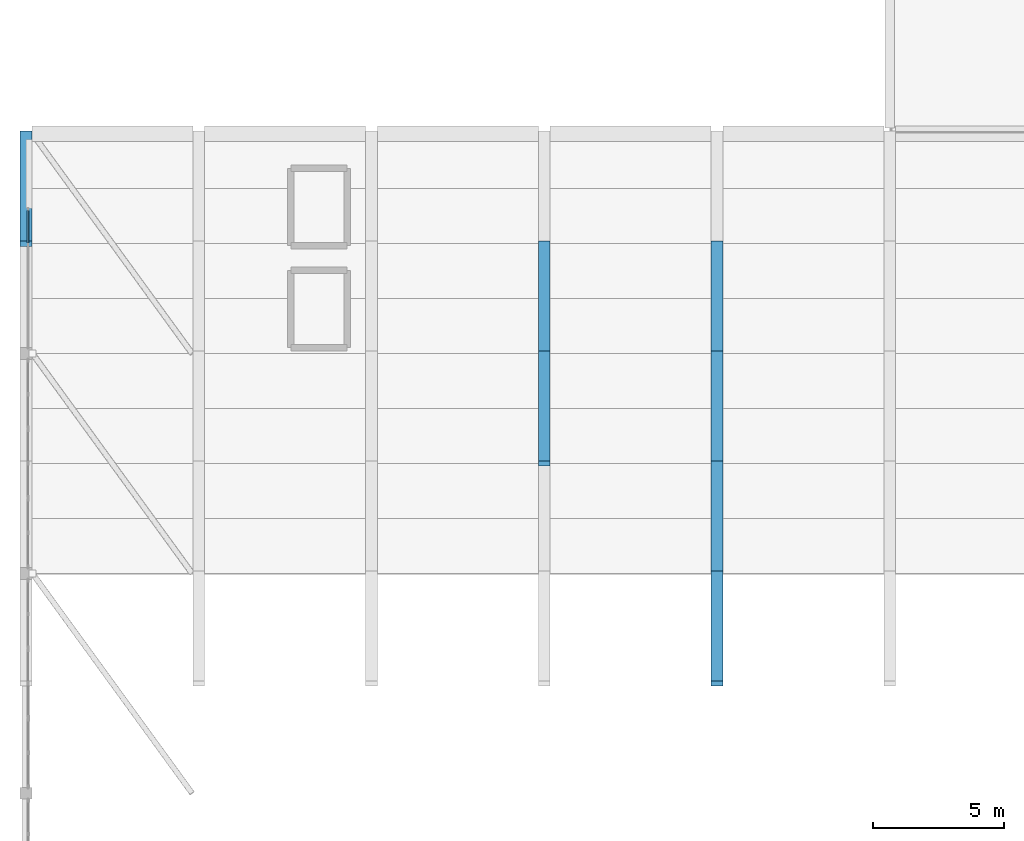
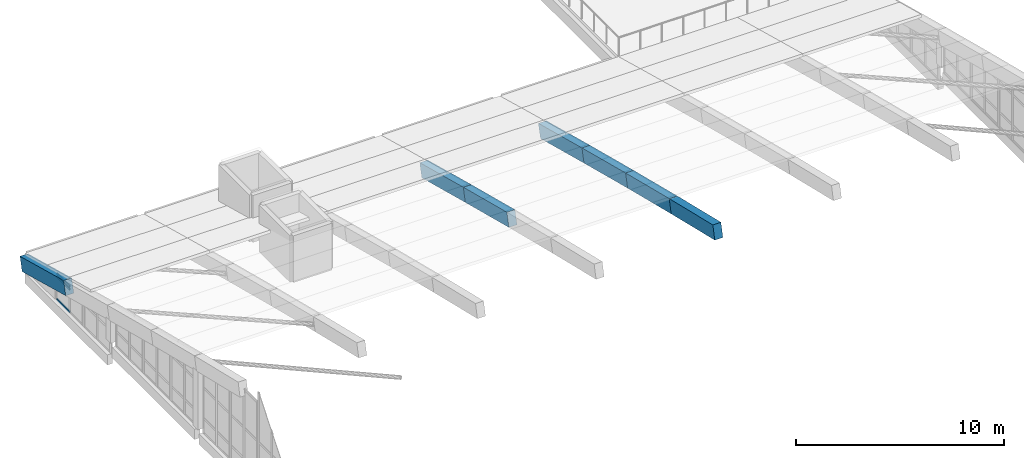
# One storey, part 14 of 78: 7 beams, 3 members, 1 element without a shape of its own.
"""IFC4 building model written with IfcOpenShell, lengths in metres."""

from ifc_helpers import new_model, si_unit, direction, frame, origin, origin_2d, place, context, subcontext, project, spatial, rectangle, extrude, material, material_profile, profile_set, type_object, element, aggregate, save


model = new_model("IFC4")

# Units and contexts
model_context = context("Model", 3, precision=1e-05, world=origin(), true_north=direction((0.0, 1.0)))
body_context = subcontext(model_context, "Body", "Model", "MODEL_VIEW")
ifc_project = project(units=[si_unit("LENGTHUNIT", "METRE"), si_unit("AREAUNIT", "SQUARE_METRE"), si_unit("VOLUMEUNIT", "CUBIC_METRE"), si_unit("PLANEANGLEUNIT", "RADIAN"), si_unit("MASSUNIT", "GRAM", prefix="KILO")], contexts=[model_context])

# Site, building, storey
site_placement = place(None, origin())
site = spatial("IfcSite", under=ifc_project, at=site_placement, CompositionType="ELEMENT")
building_placement = place(site_placement, origin())
building = spatial("IfcBuilding", under=site, at=building_placement, Name="Qaldarim Faculty of Natural and Applied Sciences", CompositionType="ELEMENT")
storey_placement = place(building_placement, frame((0.0, 0.0, 18.60009765625)))
storey = spatial("IfcBuildingStorey", under=building, at=storey_placement, Name="L04", CompositionType="ELEMENT", Elevation=18.60009765625)

# Beams
ifc_material_1 = material(Name="Concrete C50/60", Category="concrete")
ifc_material_profile_1 = material_profile(ifc_material_1, rectangle(XDim=0.449951171875, YDim=0.800048828125, at=origin_2d()), Name="RC-RIB450x800")
ifc_profile_set_1 = profile_set([ifc_material_profile_1], Name="Concrete C50/60")
beam_type = type_object("IfcBeamType", Name="ShellArchRib-RC450x800", PredefinedType="BEAM", material=ifc_profile_set_1)
beam_1_placement = place(storey_placement, frame((0.0, 84.0, -0.56005859375), z_axis=(0.0, -0.965947299715, 0.258738891884), x_axis=(1.0, 0.0, 0.0)))
element("IfcBeam", 1, at=beam_1_placement, inside=storey, type_object=beam_type, Name="Shell arch rib 1 N segment 1", PredefinedType="BEAM", context=body_context, shape_type="SweptSolid", body=[
    extrude(rectangle(XDim=0.449951171875, YDim=0.800048828125, at=origin_2d()), origin(), (0.0, 0.0, 1.0), 4.347900390625),
])
beam_2_placement = place(storey_placement, frame((19.800048828125, 79.800048828125, 0.56494140625), z_axis=(0.0, -0.967379770431, 0.253330574074), x_axis=(1.0, 0.0, 0.0)))
element("IfcBeam", 2, at=beam_2_placement, inside=storey, type_object=beam_type, Name="Shell arch rib 4 N segment 2", PredefinedType="BEAM", context=body_context, shape_type="SweptSolid", body=[
    extrude(rectangle(XDim=0.449951171875, YDim=0.800048828125, at=origin_2d()), origin(), (0.0, 0.0, 1.0), 4.341552734375),
])
beam_3_placement = place(storey_placement, frame((19.800048828125, 75.60009765625, 1.664794921875), z_axis=(0.0, -0.968762445558, 0.247990572555), x_axis=(1.0, 0.0, 0.0)))
element("IfcBeam", 3, at=beam_3_placement, inside=storey, type_object=beam_type, Name="Shell arch rib 4 N segment 3", PredefinedType="BEAM", context=body_context, shape_type="SweptSolid", body=[
    extrude(rectangle(XDim=0.449951171875, YDim=0.800048828125, at=origin_2d()), origin(), (0.0, 0.0, 1.0), 4.335693359375),
])
beam_4_placement = place(storey_placement, frame((26.39990234375, 79.800048828125, 0.56494140625), z_axis=(0.0, -0.967379770431, 0.253330574074), x_axis=(1.0, 0.0, 0.0)))
element("IfcBeam", 4, at=beam_4_placement, inside=storey, type_object=beam_type, Name="Shell arch rib 5 N segment 2", PredefinedType="BEAM", context=body_context, shape_type="SweptSolid", body=[
    extrude(rectangle(XDim=0.449951171875, YDim=0.800048828125, at=origin_2d()), origin(), (0.0, 0.0, 1.0), 4.341552734375),
])
beam_5_placement = place(storey_placement, frame((26.39990234375, 75.60009765625, 1.664794921875), z_axis=(0.0, -0.968762445558, 0.247990572555), x_axis=(1.0, 0.0, 0.0)))
element("IfcBeam", 5, at=beam_5_placement, inside=storey, type_object=beam_type, Name="Shell arch rib 5 N segment 3", PredefinedType="BEAM", context=body_context, shape_type="SweptSolid", body=[
    extrude(rectangle(XDim=0.449951171875, YDim=0.800048828125, at=origin_2d()), origin(), (0.0, 0.0, 1.0), 4.335693359375),
])
beam_6_placement = place(storey_placement, frame((26.39990234375, 71.39990234375, 2.739990234375), z_axis=(0.0, -0.970694267703, 0.24031778679), x_axis=(1.0, 0.0, 0.0)))
element("IfcBeam", 6, at=beam_6_placement, inside=storey, type_object=beam_type, Name="Shell arch rib 5 N segment 4", PredefinedType="BEAM", context=body_context, shape_type="SweptSolid", body=[
    extrude(rectangle(XDim=0.449951171875, YDim=0.800048828125, at=origin_2d()), origin(), (0.0, 0.0, 1.0), 4.32666015625),
])
beam_7_placement = place(storey_placement, frame((26.39990234375, 67.199951171875, 3.77978515625), z_axis=(0.0, -0.972805607937, 0.231623075633), x_axis=(1.0, 0.0, 0.0)))
element("IfcBeam", 7, at=beam_7_placement, inside=storey, type_object=beam_type, Name="Shell arch rib 5 N segment 5", PredefinedType="BEAM", context=body_context, shape_type="SweptSolid", body=[
    extrude(rectangle(XDim=0.449951171875, YDim=0.800048828125, at=origin_2d()), origin(), (0.0, 0.0, 1.0), 4.3173828125),
])

# Curtain wall, members
ifc_material_2 = material(Name="Anodised aluminium AW-6063", Category="aluminium")
curtain_wall_type = type_object("IfcCurtainWallType", Name="CurtainWallSystem-M1500", PredefinedType="USERDEFINED", material=ifc_material_2)
curtain_wall_placement = place(storey_placement, origin())
curtain_wall = element("IfcCurtainWall", 8, at=curtain_wall_placement, inside=storey, type_object=curtain_wall_type, Name="Curtain wall CW-GABLE-L04-W-Y10-2", ObjectType="STICK CURTAIN WALL", PredefinedType="USERDEFINED")
ifc_material_profile_2 = material_profile(ifc_material_2, rectangle(XDim=0.06005859375, YDim=0.1201171875, at=origin_2d()), Name="ALU-T60x120")
ifc_profile_set_2 = profile_set([ifc_material_profile_2], Name="Anodised aluminium AW-6063")
member_type = type_object("IfcMemberType", Name="Transom-ALU60x120", PredefinedType="USERDEFINED", material=ifc_profile_set_2)
member_1_placement = place(storey_placement, frame((0.080078125, 81.06005859375, -0.9501953125), z_axis=(0.0, -1.0, 0.0), x_axis=(1.0, 0.0, 0.0)))
member_1 = element("IfcMember", 9, at=member_1_placement, type_object=member_type, Name="Transom 1-1 of CW-GABLE-L04-W-Y10-2", ObjectType="TRANSOM", PredefinedType="USERDEFINED", context=body_context, shape_type="SweptSolid", body=[
    extrude(rectangle(XDim=0.06005859375, YDim=0.1201171875, at=origin_2d()), origin(), (0.0, 0.0, 1.0), 1.2275390625),
])
member_2_placement = place(storey_placement, frame((0.080078125, 81.06005859375, 0.369873046875), z_axis=(0.0, -1.0, 0.0), x_axis=(1.0, 0.0, 0.0)))
member_2 = element("IfcMember", 10, at=member_2_placement, type_object=member_type, Name="Transom 1-2 of CW-GABLE-L04-W-Y10-2", ObjectType="TRANSOM", PredefinedType="USERDEFINED", context=body_context, shape_type="SweptSolid", body=[
    extrude(rectangle(XDim=0.06005859375, YDim=0.1201171875, at=origin_2d()), origin(), (0.0, 0.0, 1.0), 1.2275390625),
])
member_3_placement = place(storey_placement, frame((0.080078125, 81.06005859375, 0.544921875), z_axis=(0.0, -1.0, 0.0), x_axis=(1.0, 0.0, 0.0)))
member_3 = element("IfcMember", 11, at=member_3_placement, type_object=member_type, Name="Transom 1-3 of CW-GABLE-L04-W-Y10-2", ObjectType="TRANSOM", PredefinedType="USERDEFINED", context=body_context, shape_type="SweptSolid", body=[
    extrude(rectangle(XDim=0.06005859375, YDim=0.1201171875, at=origin_2d()), origin(), (0.0, 0.0, 1.0), 1.2275390625),
])
aggregate(curtain_wall, [member_1, member_2, member_3])

save(model, "model.ifc")
